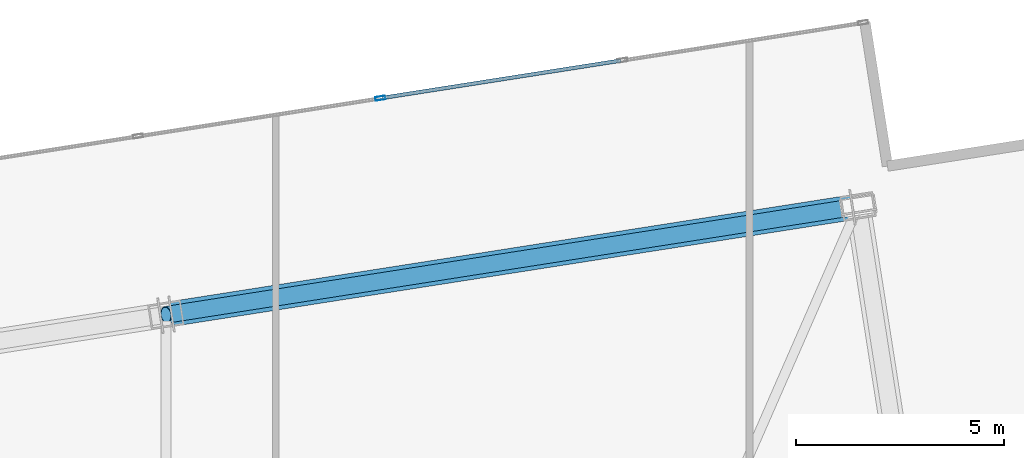
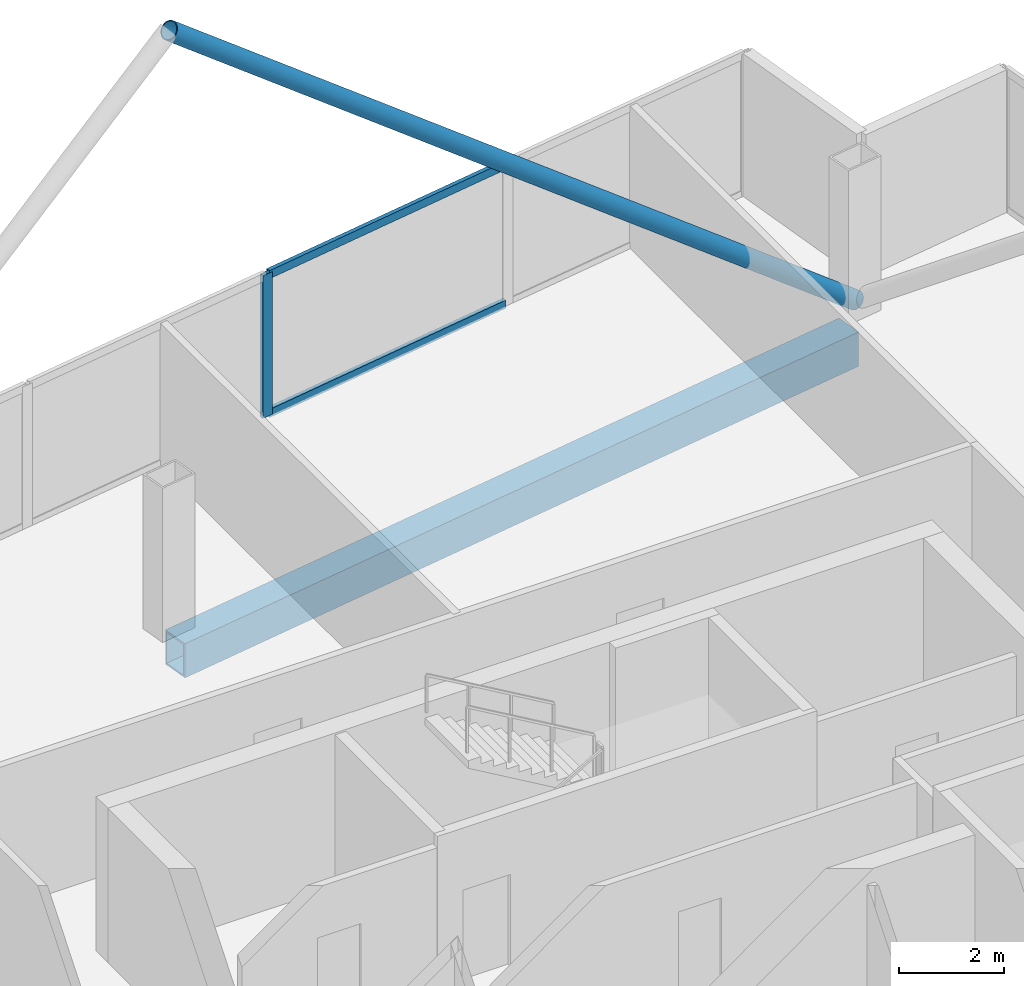
# One storey, part 15 of 21: 4 members, 1 beam, 1 element without a shape of its own.
"""IFC4 building model written with IfcOpenShell, lengths in metres."""

from ifc_helpers import new_model, si_unit, direction, frame, origin, origin_2d, place, context, subcontext, project, spatial, hollow_rectangle, hollow_circle, extrude, material, material_profile, profile_set, type_object, element, aggregate, save


model = new_model("IFC4")

# Units and contexts
model_context = context("Model", 3, precision=1e-05, world=origin(), true_north=direction((0.0, 1.0)))
body_context = subcontext(model_context, "Body", "Model", "MODEL_VIEW")
ifc_project = project(units=[si_unit("LENGTHUNIT", "METRE"), si_unit("AREAUNIT", "SQUARE_METRE"), si_unit("VOLUMEUNIT", "CUBIC_METRE"), si_unit("PLANEANGLEUNIT", "RADIAN"), si_unit("MASSUNIT", "GRAM", prefix="KILO")], contexts=[model_context])

# Site, building, storey
site_placement = place(None, origin())
site = spatial("IfcSite", under=ifc_project, at=site_placement, CompositionType="ELEMENT")
building_placement = place(site_placement, origin())
building = spatial("IfcBuilding", under=site, at=building_placement, Name="Haldenkirk Collegiate Tower", CompositionType="ELEMENT")
storey_placement = place(building_placement, frame((0.0, 0.0, 360.60009765625)))
storey = spatial("IfcBuildingStorey", under=building, at=storey_placement, Name="L91", CompositionType="ELEMENT", Elevation=360.60009765625)

# Beam
ifc_material_1 = material(Name="Steel ASTM A572 Grade 50", Category="steel")
ifc_material_profile_1 = material_profile(ifc_material_1, hollow_rectangle(XDim=0.60009765625, YDim=0.800048828125, WallThickness=0.0400390625, at=origin_2d()), Name="BOX800X600X40")
ifc_profile_set_1 = profile_set([ifc_material_profile_1], Name="Steel ASTM A572 Grade 50")
beam_type = type_object("IfcBeamType", Name="BM-SPANDREL-BOX800X600X40", PredefinedType="SPANDREL", material=ifc_profile_set_1)
beam_placement = place(storey_placement, frame((49.861083984375, 45.428466796875, -0.670166015625), z_axis=(-0.987958818005, -0.154717077036, 0.0), x_axis=(0.154717077036, -0.987958818005, 0.0)))
element("IfcBeam", 1, at=beam_placement, inside=storey, type_object=beam_type, Name="L91 Crown Ring Frame perimeter girder 3", PredefinedType="SPANDREL", context=body_context, shape_type="SweptSolid", body=[
    extrude(hollow_rectangle(XDim=0.60009765625, YDim=0.800048828125, WallThickness=0.0400390625, at=origin_2d()), origin(), (0.0, 0.0, 1.0), 16.5498046875),
])

# Curtain wall, members
ifc_material_2 = material(Name="Anodised architectural bronze aluminium", Category="aluminium")
curtain_wall_type = type_object("IfcCurtainWallType", Name="CW-SYS6-CROWN", PredefinedType="USERDEFINED", material=ifc_material_2)
curtain_wall_placement = place(storey_placement, origin())
curtain_wall = element("IfcCurtainWall", 2, at=curtain_wall_placement, inside=storey, type_object=curtain_wall_type, Name="L91 Closed crown ring ceramic-fritted bronze screen curtain wall", ObjectType="UNITISED CURTAIN WALL", PredefinedType="USERDEFINED")
ifc_material_profile_2 = material_profile(ifc_material_2, hollow_rectangle(XDim=0.090087890625, YDim=0.239990234375, WallThickness=0.0048828125, at=origin_2d()), Name="CW-MUL-06")
ifc_profile_set_2 = profile_set([ifc_material_profile_2], Name="Anodised architectural bronze aluminium")
member_type_1 = type_object("IfcMemberType", Name="CW-MUL-06", PredefinedType="MULLION", material=ifc_profile_set_2)
member_1_placement = place(storey_placement, frame((38.51806640625, 48.05517578125, 0.0), z_axis=(0.0, 0.0, 1.0), x_axis=(-0.154708982189, 0.987960085646, 0.0)))
member_1 = element("IfcMember", 3, at=member_1_placement, type_object=member_type_1, Name="CW-06 mullion 5", PredefinedType="MULLION", context=body_context, shape_type="SweptSolid", body=[
    extrude(hollow_rectangle(XDim=0.090087890625, YDim=0.239990234375, WallThickness=0.0048828125, at=origin_2d()), origin(), (0.0, 0.0, 1.0), 3.329833984375),
])
ifc_material_profile_3 = material_profile(ifc_material_2, hollow_rectangle(XDim=0.090087890625, YDim=0.18994140625, WallThickness=0.0048828125, at=origin_2d()), Name="CW-TRN-06")
ifc_profile_set_3 = profile_set([ifc_material_profile_3], Name="Anodised architectural bronze aluminium")
member_type_2 = type_object("IfcMemberType", Name="CW-TRN-06", PredefinedType="USERDEFINED", material=ifc_profile_set_3)
member_2_placement = place(storey_placement, frame((38.562744140625, 48.06201171875, 0.044921875), z_axis=(0.987958095237, 0.154721692257, 0.0), x_axis=(-0.154721692257, 0.987958095237, 0.0)))
member_2 = element("IfcMember", 4, at=member_2_placement, type_object=member_type_2, Name="CW-06 transom 5.1", ObjectType="TRANSOM", PredefinedType="USERDEFINED", context=body_context, shape_type="SweptSolid", body=[
    extrude(hollow_rectangle(XDim=0.090087890625, YDim=0.18994140625, WallThickness=0.0048828125, at=origin_2d()), origin(), (0.0, 0.0, 1.0), 5.81005859375),
])
member_3_placement = place(storey_placement, frame((38.562744140625, 48.06201171875, 3.284912109375), z_axis=(0.987958095237, 0.154721692257, 0.0), x_axis=(-0.154721692257, 0.987958095237, 0.0)))
member_3 = element("IfcMember", 5, at=member_3_placement, type_object=member_type_2, Name="CW-06 transom 5.2", ObjectType="TRANSOM", PredefinedType="USERDEFINED", context=body_context, shape_type="SweptSolid", body=[
    extrude(hollow_rectangle(XDim=0.090087890625, YDim=0.18994140625, WallThickness=0.0048828125, at=origin_2d()), origin(), (0.0, 0.0, 1.0), 5.81005859375),
])
aggregate(curtain_wall, [member_1, member_2, member_3])

# Member
ifc_material_profile_4 = material_profile(ifc_material_1, hollow_circle(Radius=0.202880859375, WallThickness=0.02001953125, at=origin_2d()), Name="CHS406X20")
ifc_profile_set_4 = profile_set([ifc_material_profile_4], Name="Steel ASTM A572 Grade 50")
member_type_3 = type_object("IfcMemberType", Name="MBR-CROWNBRACE-CHS406", PredefinedType="BRACE", material=ifc_profile_set_4)
member_4_placement = place(storey_placement, frame((50.00927734375, 45.45166015625, 0.25), z_axis=(-0.766558655672, -0.120043899411, 0.630854412387), x_axis=(0.154715440061, -0.987959074358, 0.0)))
element("IfcMember", 6, at=member_4_placement, inside=storey, type_object=member_type_3, Name="Crown Ring Frame diagonal brace E1", PredefinedType="BRACE", context=body_context, shape_type="SweptSolid", body=[
    extrude(hollow_circle(Radius=0.202880859375, WallThickness=0.02001953125, at=origin_2d()), origin(), (0.0, 0.0, 1.0), 21.716552734375),
])

save(model, "model.ifc")
